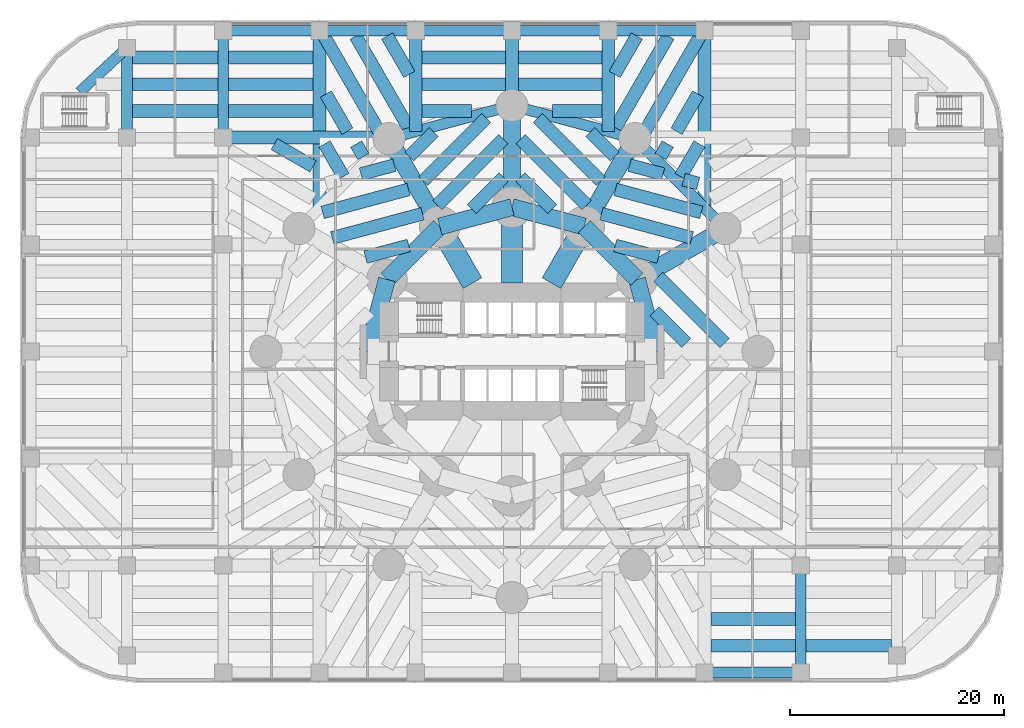
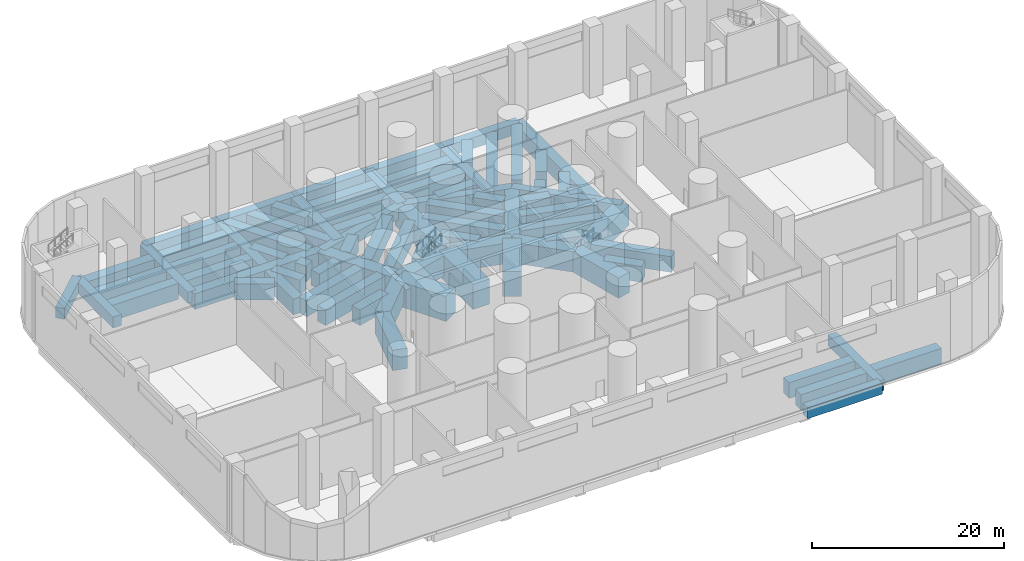
# One storey, part 3 of 13: 79 beams.
"""IFC4 building model written with IfcOpenShell, lengths in metres."""

from ifc_helpers import new_model, si_unit, direction, frame, origin, origin_2d, place, context, subcontext, project, spatial, rectangle, extrude, material, material_profile, profile_set, type_object, element, save


model = new_model("IFC4")

# Units and contexts
model_context = context("Model", 3, precision=1e-05, world=origin(), true_north=direction((0.0, 1.0)))
body_context = subcontext(model_context, "Body", "Model", "MODEL_VIEW")
ifc_project = project(units=[si_unit("LENGTHUNIT", "METRE"), si_unit("AREAUNIT", "SQUARE_METRE"), si_unit("VOLUMEUNIT", "CUBIC_METRE"), si_unit("PLANEANGLEUNIT", "RADIAN"), si_unit("MASSUNIT", "GRAM", prefix="KILO")], contexts=[model_context])

# Site, building, storey
site_placement = place(None, origin())
site = spatial("IfcSite", under=ifc_project, at=site_placement, CompositionType="ELEMENT")
building_placement = place(site_placement, origin())
building = spatial("IfcBuilding", under=site, at=building_placement, Name="Qaws Media Tower", CompositionType="ELEMENT")
storey_placement = place(building_placement, frame((0.0, 0.0, 6.0)))
storey = spatial("IfcBuildingStorey", under=building, at=storey_placement, Name="L01", CompositionType="ELEMENT", Elevation=6.0)

# Beams
ifc_material_1 = material(Name="Concrete C60/75", Category="concrete")
ifc_material_profile_1 = material_profile(ifc_material_1, rectangle(XDim=2.0, YDim=3.199951171875, at=origin_2d()), Name="RC 2000x3200")
ifc_profile_set_1 = profile_set([ifc_material_profile_1], Name="Concrete C60/75")
beam_type_1 = type_object("IfcBeamType", Name="Podium core beam RC 2000x3200", PredefinedType="BEAM", material=ifc_profile_set_1)
beam_1_placement = place(storey_placement, frame((63.695068359375, 56.39990234375, -1.89990234375), z_axis=(0.49998532359, 0.866033877048, 0.0), x_axis=(-0.866033877048, 0.49998532359, 0.0)))
element("IfcBeam", 1, at=beam_1_placement, inside=storey, type_object=beam_type_1, Name="PB14 beam CORE-I03", PredefinedType="BEAM", context=body_context, shape_type="SweptSolid", body=[
    extrude(rectangle(XDim=2.0, YDim=3.199951171875, at=origin_2d()), origin(), (0.0, 0.0, 1.0), 6.110107421875),
])
beam_2_placement = place(storey_placement, frame((60.0, 56.39990234375, -1.89990234375), z_axis=(0.0, 1.0, 0.0), x_axis=(-1.0, 0.0, 0.0)))
element("IfcBeam", 2, at=beam_2_placement, inside=storey, type_object=beam_type_1, Name="PB14 beam CORE-I04", PredefinedType="BEAM", context=body_context, shape_type="SweptSolid", body=[
    extrude(rectangle(XDim=2.0, YDim=3.199951171875, at=origin_2d()), origin(), (0.0, 0.0, 1.0), 7.10009765625),
])
beam_3_placement = place(storey_placement, frame((56.304931640625, 56.39990234375, -1.89990234375), z_axis=(-0.49998532359, 0.866033877048, 0.0), x_axis=(-0.866033877048, -0.49998532359, 0.0)))
element("IfcBeam", 3, at=beam_3_placement, inside=storey, type_object=beam_type_1, Name="PB14 beam CORE-I05", PredefinedType="BEAM", context=body_context, shape_type="SweptSolid", body=[
    extrude(rectangle(XDim=2.0, YDim=3.199951171875, at=origin_2d()), origin(), (0.0, 0.0, 1.0), 6.110107421875),
])
ifc_material_2 = material(Name="Concrete C60/75", Category="concrete")
ifc_material_profile_2 = material_profile(ifc_material_2, rectangle(XDim=1.0, YDim=1.39990234375, at=origin_2d()), Name="RC 1000x1400")
ifc_profile_set_2 = profile_set([ifc_material_profile_2], Name="Concrete C60/75")
beam_type_2 = type_object("IfcBeamType", Name="Podium edge beam RC 1000x1400", PredefinedType="BEAM", material=ifc_profile_set_2)
for number, where, z_axis, x_axis, name in (
    (4, (79.918701171875, 61.5, -1.0), (-0.707106781187, 0.707106781187, 0.0), (-0.707106781187, -0.707106781187, 0.0), "PB3 beam M02-M03"),
    (5, (71.5, 69.918701171875, -1.0), (-0.965928280645, 0.258809885148, 0.0), (-0.258809885148, -0.965928280645, 0.0), "PB3 beam M03-M04"),
    (6, (60.0, 73.0, -1.0), (-0.965928280645, -0.258809885148, 0.0), (0.258809885148, -0.965928280645, 0.0), "PB3 beam M04-M05"),
):
    element("IfcBeam", number, at=place(storey_placement, frame(where, z_axis=z_axis, x_axis=x_axis)), inside=storey, type_object=beam_type_2, Name=name, PredefinedType="BEAM", context=body_context, shape_type="SweptSolid", body=[
        extrude(rectangle(XDim=1.0, YDim=1.39990234375, at=origin_2d()), origin(), (0.0, 0.0, 1.0), 11.90576171875),
    ])
ifc_material_3 = material(Name="Concrete C60/75", Category="concrete")
ifc_material_profile_3 = material_profile(ifc_material_3, rectangle(XDim=1.0, YDim=1.39990234375, at=origin_2d()), Name="RC 1000x1400")
ifc_profile_set_3 = profile_set([ifc_material_profile_3], Name="Concrete C60/75")
beam_type_3 = type_object("IfcBeamType", Name="Podium girder RC 1000x1400", PredefinedType="BEAM", material=ifc_profile_set_3)
for number, where, z_axis, x_axis, name in (
    (7, (78.0, 20.0, -1.0), (1.0, 0.0, 0.0), (0.0, 1.0, 0.0), "PB5 beam 8-9/A"),
    (8, (33.0, 80.0, -1.0), (1.0, 0.0, 0.0), (0.0, 1.0, 0.0), "PB5 beam 3-4/G"),
    (9, (42.0, 80.0, -1.0), (1.0, 0.0, 0.0), (0.0, 1.0, 0.0), "PB5 beam 4-5/G"),
    (10, (51.0, 80.0, -1.0), (1.0, 0.0, 0.0), (0.0, 1.0, 0.0), "PB5 beam 5-6/G"),
    (11, (60.0, 80.0, -1.0), (1.0, 0.0, 0.0), (0.0, 1.0, 0.0), "PB5 beam 6-7/G"),
    (12, (69.0, 80.0, -1.0), (1.0, 0.0, 0.0), (0.0, 1.0, 0.0), "PB5 beam 7-8/G"),
):
    element("IfcBeam", number, at=place(storey_placement, frame(where, z_axis=z_axis, x_axis=x_axis)), inside=storey, type_object=beam_type_3, Name=name, PredefinedType="BEAM", context=body_context, shape_type="SweptSolid", body=[
        extrude(rectangle(XDim=1.0, YDim=1.39990234375, at=origin_2d()), origin(), (0.0, 0.0, 1.0), 9.0),
    ])
beam_4_placement = place(storey_placement, frame((24.0, 70.0, -1.0), z_axis=(0.0, 1.0, 0.0), x_axis=(-1.0, 0.0, 0.0)))
element("IfcBeam", 13, at=beam_4_placement, inside=storey, type_object=beam_type_3, Name="PB5 beam 2/F-G", PredefinedType="BEAM", context=body_context, shape_type="SweptSolid", body=[
    extrude(rectangle(XDim=1.0, YDim=1.39990234375, at=origin_2d()), origin(), (0.0, 0.0, 1.0), 8.39990234375),
])
for number, where, z_axis, x_axis, name in (
    (14, (33.0, 70.0, -1.0), (0.0, 1.0, 0.0), (-1.0, 0.0, 0.0), "PB5 beam 3/F-G"),
    (15, (87.0, 20.0, -1.0), (0.0, 1.0, 0.0), (-1.0, 0.0, 0.0), "PB5 beam 9/A-B"),
):
    element("IfcBeam", number, at=place(storey_placement, frame(where, z_axis=z_axis, x_axis=x_axis)), inside=storey, type_object=beam_type_3, Name=name, PredefinedType="BEAM", context=body_context, shape_type="SweptSolid", body=[
        extrude(rectangle(XDim=1.0, YDim=1.39990234375, at=origin_2d()), origin(), (0.0, 0.0, 1.0), 10.0),
    ])
beam_5_placement = place(storey_placement, frame((19.5732421875, 74.268310546875, -1.0), z_axis=(0.731059290527, 0.682313940745, 0.0), x_axis=(-0.682313940745, 0.731059290527, 0.0)))
element("IfcBeam", 16, at=beam_5_placement, inside=storey, type_object=beam_type_3, Name="PB5 beam S3-2/G", PredefinedType="BEAM", context=body_context, shape_type="SweptSolid", body=[
    extrude(rectangle(XDim=1.0, YDim=1.39990234375, at=origin_2d()), origin(), (0.0, 0.0, 1.0), 6.05517578125),
])
ifc_material_4 = material(Name="Concrete C60/75", Category="concrete")
ifc_material_profile_4 = material_profile(ifc_material_4, rectangle(XDim=1.199951171875, YDim=2.0, at=origin_2d()), Name="RC 1200x2000")
ifc_profile_set_4 = profile_set([ifc_material_profile_4], Name="Concrete C60/75")
beam_type_4 = type_object("IfcBeamType", Name="Podium long trimmer beam RC 1200x2000", PredefinedType="BEAM", material=ifc_profile_set_4)
beam_6_placement = place(storey_placement, frame((33.0, 70.0, -1.300048828125), z_axis=(1.0, 0.0, 0.0), x_axis=(0.0, 1.0, 0.0)))
element("IfcBeam", 17, at=beam_6_placement, inside=storey, type_object=beam_type_4, Name="PB11 beam 3/F to the tower ring", PredefinedType="BEAM", context=body_context, shape_type="SweptSolid", body=[
    extrude(rectangle(XDim=1.199951171875, YDim=2.0, at=origin_2d()), origin(), (0.0, 0.0, 1.0), 15.803955078125),
])
for number, where, z_axis, x_axis, name in (
    (18, (42.0, 80.0, -1.300048828125), (0.0, -1.0, 0.0), (1.0, 0.0, 0.0), "PB11 beam 4/G to the tower ring"),
    (19, (78.0, 80.0, -1.300048828125), (0.0, -1.0, 0.0), (1.0, 0.0, 0.0), "PB11 beam 8/G to the tower ring"),
):
    element("IfcBeam", number, at=place(storey_placement, frame(where, z_axis=z_axis, x_axis=x_axis)), inside=storey, type_object=beam_type_4, Name=name, PredefinedType="BEAM", context=body_context, shape_type="SweptSolid", body=[
        extrude(rectangle(XDim=1.199951171875, YDim=2.0, at=origin_2d()), origin(), (0.0, 0.0, 1.0), 16.581298828125),
    ])
ifc_material_5 = material(Name="Concrete C60/75", Category="concrete")
ifc_material_profile_5 = material_profile(ifc_material_5, rectangle(XDim=1.199951171875, YDim=2.0, at=origin_2d()), Name="RC 1200x2000")
ifc_profile_set_5 = profile_set([ifc_material_profile_5], Name="Concrete C60/75")
beam_type_5 = type_object("IfcBeamType", Name="Podium secondary beam RC 1200x2000", PredefinedType="BEAM", material=ifc_profile_set_5)
for number, where, z_axis, x_axis, name in (
    (20, (24.5, 72.5, -1.300048828125), (1.0, 0.0, 0.0), (0.0, 1.0, 0.0), "PB7 beam bay 2F line 1"),
    (21, (24.5, 75.0, -1.300048828125), (1.0, 0.0, 0.0), (0.0, 1.0, 0.0), "PB7 beam bay 2F line 2"),
    (22, (24.5, 77.5, -1.300048828125), (1.0, 0.0, 0.0), (0.0, 1.0, 0.0), "PB7 beam bay 2F line 3"),
):
    element("IfcBeam", number, at=place(storey_placement, frame(where, z_axis=z_axis, x_axis=x_axis)), inside=storey, type_object=beam_type_5, Name=name, PredefinedType="BEAM", context=body_context, shape_type="SweptSolid", body=[
        extrude(rectangle(XDim=1.199951171875, YDim=2.0, at=origin_2d()), origin(), (0.0, 0.0, 1.0), 8.0),
    ])
beam_7_placement = place(storey_placement, frame((41.39990234375, 67.30712890625, -1.300048828125), z_axis=(-0.866023369196, 0.500003523994, 0.0), x_axis=(-0.500003523994, -0.866023369196, 0.0)))
element("IfcBeam", 23, at=beam_7_placement, inside=storey, type_object=beam_type_5, Name="PB7 beam bay 3E line 1", PredefinedType="BEAM", context=body_context, shape_type="SweptSolid", body=[
    extrude(rectangle(XDim=1.199951171875, YDim=2.0, at=origin_2d()), origin(), (0.0, 0.0, 1.0), 4.185546875),
])
for number, where, z_axis, x_axis, name in (
    (24, (33.5, 72.5, -1.300048828125), (1.0, 0.0, 0.0), (0.0, 1.0, 0.0), "PB7 beam bay 3F line 1"),
    (25, (33.5, 75.0, -1.300048828125), (1.0, 0.0, 0.0), (0.0, 1.0, 0.0), "PB7 beam bay 3F line 2"),
    (26, (33.5, 77.5, -1.300048828125), (1.0, 0.0, 0.0), (0.0, 1.0, 0.0), "PB7 beam bay 3F line 3"),
):
    element("IfcBeam", number, at=place(storey_placement, frame(where, z_axis=z_axis, x_axis=x_axis)), inside=storey, type_object=beam_type_5, Name=name, PredefinedType="BEAM", context=body_context, shape_type="SweptSolid", body=[
        extrude(rectangle(XDim=1.199951171875, YDim=2.0, at=origin_2d()), origin(), (0.0, 0.0, 1.0), 7.89990234375),
    ])
beam_8_placement = place(storey_placement, frame((46.109619140625, 68.235107421875, -1.300048828125), z_axis=(-0.500062873969, 0.865989100438, 0.0), x_axis=(-0.865989100438, -0.500062873969, 0.0)))
element("IfcBeam", 27, at=beam_8_placement, inside=storey, type_object=beam_type_5, Name="PB7 beam bay 4E line 1", PredefinedType="BEAM", context=body_context, shape_type="SweptSolid", body=[
    extrude(rectangle(XDim=1.199951171875, YDim=2.0, at=origin_2d()), origin(), (0.0, 0.0, 1.0), 1.344970703125),
])
beam_9_placement = place(storey_placement, frame((44.236328125, 66.362060546875, -1.300048828125), z_axis=(-0.500001597329, 0.866024481564, 0.0), x_axis=(-0.866024481564, -0.500001597329, 0.0)))
element("IfcBeam", 28, at=beam_9_placement, inside=storey, type_object=beam_type_5, Name="PB7 beam bay 4E line 2", PredefinedType="BEAM", context=body_context, shape_type="SweptSolid", body=[
    extrude(rectangle(XDim=1.199951171875, YDim=2.0, at=origin_2d()), origin(), (0.0, 0.0, 1.0), 3.5078125),
])
beam_10_placement = place(storey_placement, frame((50.39990234375, 75.921630859375, -1.300048828125), z_axis=(-0.499990122378, 0.866031106557, 0.0), x_axis=(-0.866031106557, -0.499990122378, 0.0)))
element("IfcBeam", 29, at=beam_10_placement, inside=storey, type_object=beam_type_5, Name="PB7 beam bay 4F line 1", PredefinedType="BEAM", context=body_context, shape_type="SweptSolid", body=[
    extrude(rectangle(XDim=1.199951171875, YDim=2.0, at=origin_2d()), origin(), (0.0, 0.0, 1.0), 4.1318359375),
])
beam_11_placement = place(storey_placement, frame((50.329345703125, 70.92626953125, -1.300048828125), z_axis=(-0.499992846816, 0.866029533637, 0.0), x_axis=(-0.866029533637, -0.499992846816, 0.0)))
element("IfcBeam", 30, at=beam_11_placement, inside=storey, type_object=beam_type_5, Name="PB7 beam bay 4F line 2", PredefinedType="BEAM", context=body_context, shape_type="SweptSolid", body=[
    extrude(rectangle(XDim=1.199951171875, YDim=2.0, at=origin_2d()), origin(), (0.0, 0.0, 1.0), 9.900146484375),
])
beam_12_placement = place(storey_placement, frame((47.56298828125, 70.60009765625, -1.300048828125), z_axis=(-0.500004869266, 0.866022592494, 0.0), x_axis=(-0.866022592494, -0.500004869266, 0.0)))
element("IfcBeam", 31, at=beam_12_placement, inside=storey, type_object=beam_type_5, Name="PB7 beam bay 4F line 3", PredefinedType="BEAM", context=body_context, shape_type="SweptSolid", body=[
    extrude(rectangle(XDim=1.199951171875, YDim=2.0, at=origin_2d()), origin(), (0.0, 0.0, 1.0), 10.27685546875),
])
beam_13_placement = place(storey_placement, frame((44.6083984375, 70.60009765625, -1.300048828125), z_axis=(-0.500022371132, 0.86601248742, 0.0), x_axis=(-0.86601248742, -0.500022371132, 0.0)))
element("IfcBeam", 32, at=beam_13_placement, inside=storey, type_object=beam_type_5, Name="PB7 beam bay 4F line 4", PredefinedType="BEAM", context=body_context, shape_type="SweptSolid", body=[
    extrude(rectangle(XDim=1.199951171875, YDim=2.0, at=origin_2d()), origin(), (0.0, 0.0, 1.0), 4.016357421875),
])
beam_14_placement = place(storey_placement, frame((51.60009765625, 72.5, -1.300048828125), z_axis=(1.0, 0.0, 0.0), x_axis=(0.0, 1.0, 0.0)))
element("IfcBeam", 33, at=beam_14_placement, inside=storey, type_object=beam_type_5, Name="PB7 beam bay 5F line 1", PredefinedType="BEAM", context=body_context, shape_type="SweptSolid", body=[
    extrude(rectangle(XDim=1.199951171875, YDim=2.0, at=origin_2d()), origin(), (0.0, 0.0, 1.0), 4.60205078125),
])
for number, where, z_axis, x_axis, name in (
    (34, (51.60009765625, 75.0, -1.300048828125), (1.0, 0.0, 0.0), (0.0, 1.0, 0.0), "PB7 beam bay 5F line 2"),
    (35, (51.60009765625, 77.5, -1.300048828125), (1.0, 0.0, 0.0), (0.0, 1.0, 0.0), "PB7 beam bay 5F line 3"),
):
    element("IfcBeam", number, at=place(storey_placement, frame(where, z_axis=z_axis, x_axis=x_axis)), inside=storey, type_object=beam_type_5, Name=name, PredefinedType="BEAM", context=body_context, shape_type="SweptSolid", body=[
        extrude(rectangle(XDim=1.199951171875, YDim=2.0, at=origin_2d()), origin(), (0.0, 0.0, 1.0), 7.7998046875),
    ])
beam_15_placement = place(storey_placement, frame((63.7978515625, 72.5, -1.300048828125), z_axis=(1.0, 0.0, 0.0), x_axis=(0.0, 1.0, 0.0)))
element("IfcBeam", 36, at=beam_15_placement, inside=storey, type_object=beam_type_5, Name="PB7 beam bay 6F line 1", PredefinedType="BEAM", context=body_context, shape_type="SweptSolid", body=[
    extrude(rectangle(XDim=1.199951171875, YDim=2.0, at=origin_2d()), origin(), (0.0, 0.0, 1.0), 4.60205078125),
])
for number, where, z_axis, x_axis, name in (
    (37, (60.60009765625, 75.0, -1.300048828125), (1.0, 0.0, 0.0), (0.0, 1.0, 0.0), "PB7 beam bay 6F line 2"),
    (38, (60.60009765625, 77.5, -1.300048828125), (1.0, 0.0, 0.0), (0.0, 1.0, 0.0), "PB7 beam bay 6F line 3"),
):
    element("IfcBeam", number, at=place(storey_placement, frame(where, z_axis=z_axis, x_axis=x_axis)), inside=storey, type_object=beam_type_5, Name=name, PredefinedType="BEAM", context=body_context, shape_type="SweptSolid", body=[
        extrude(rectangle(XDim=1.199951171875, YDim=2.0, at=origin_2d()), origin(), (0.0, 0.0, 1.0), 7.7998046875),
    ])
beam_16_placement = place(storey_placement, frame((75.763671875, 66.362060546875, -1.300048828125), z_axis=(0.500001597329, 0.866024481564, 0.0), x_axis=(-0.866024481564, 0.500001597329, 0.0)))
element("IfcBeam", 39, at=beam_16_placement, inside=storey, type_object=beam_type_5, Name="PB7 beam bay 7E line 1", PredefinedType="BEAM", context=body_context, shape_type="SweptSolid", body=[
    extrude(rectangle(XDim=1.199951171875, YDim=2.0, at=origin_2d()), origin(), (0.0, 0.0, 1.0), 3.5078125),
])
beam_17_placement = place(storey_placement, frame((73.890380859375, 68.235107421875, -1.300048828125), z_axis=(0.500062873969, 0.865989100438, 0.0), x_axis=(-0.865989100438, 0.500062873969, 0.0)))
element("IfcBeam", 40, at=beam_17_placement, inside=storey, type_object=beam_type_5, Name="PB7 beam bay 7E line 2", PredefinedType="BEAM", context=body_context, shape_type="SweptSolid", body=[
    extrude(rectangle(XDim=1.199951171875, YDim=2.0, at=origin_2d()), origin(), (0.0, 0.0, 1.0), 1.344970703125),
])
beam_18_placement = place(storey_placement, frame((75.3916015625, 70.60009765625, -1.300048828125), z_axis=(0.500022371132, 0.86601248742, 0.0), x_axis=(-0.86601248742, 0.500022371132, 0.0)))
element("IfcBeam", 41, at=beam_18_placement, inside=storey, type_object=beam_type_5, Name="PB7 beam bay 7F line 1", PredefinedType="BEAM", context=body_context, shape_type="SweptSolid", body=[
    extrude(rectangle(XDim=1.199951171875, YDim=2.0, at=origin_2d()), origin(), (0.0, 0.0, 1.0), 4.016357421875),
])
beam_19_placement = place(storey_placement, frame((72.43701171875, 70.60009765625, -1.300048828125), z_axis=(0.500004869266, 0.866022592494, 0.0), x_axis=(-0.866022592494, 0.500004869266, 0.0)))
element("IfcBeam", 42, at=beam_19_placement, inside=storey, type_object=beam_type_5, Name="PB7 beam bay 7F line 2", PredefinedType="BEAM", context=body_context, shape_type="SweptSolid", body=[
    extrude(rectangle(XDim=1.199951171875, YDim=2.0, at=origin_2d()), origin(), (0.0, 0.0, 1.0), 10.27685546875),
])
beam_20_placement = place(storey_placement, frame((69.670654296875, 70.92626953125, -1.300048828125), z_axis=(0.499992846816, 0.866029533637, 0.0), x_axis=(-0.866029533637, 0.499992846816, 0.0)))
element("IfcBeam", 43, at=beam_20_placement, inside=storey, type_object=beam_type_5, Name="PB7 beam bay 7F line 3", PredefinedType="BEAM", context=body_context, shape_type="SweptSolid", body=[
    extrude(rectangle(XDim=1.199951171875, YDim=2.0, at=origin_2d()), origin(), (0.0, 0.0, 1.0), 9.900146484375),
])
beam_21_placement = place(storey_placement, frame((69.60009765625, 75.921630859375, -1.300048828125), z_axis=(0.499990122378, 0.866031106557, 0.0), x_axis=(-0.866031106557, 0.499990122378, 0.0)))
element("IfcBeam", 44, at=beam_21_placement, inside=storey, type_object=beam_type_5, Name="PB7 beam bay 7F line 4", PredefinedType="BEAM", context=body_context, shape_type="SweptSolid", body=[
    extrude(rectangle(XDim=1.199951171875, YDim=2.0, at=origin_2d()), origin(), (0.0, 0.0, 1.0), 4.1318359375),
])
for number, where, z_axis, x_axis, name in (
    (45, (78.60009765625, 22.5, -1.300048828125), (1.0, 0.0, 0.0), (0.0, 1.0, 0.0), "PB7 beam bay 8A line 1"),
    (46, (78.60009765625, 25.0, -1.300048828125), (1.0, 0.0, 0.0), (0.0, 1.0, 0.0), "PB7 beam bay 8A line 2"),
):
    element("IfcBeam", number, at=place(storey_placement, frame(where, z_axis=z_axis, x_axis=x_axis)), inside=storey, type_object=beam_type_5, Name=name, PredefinedType="BEAM", context=body_context, shape_type="SweptSolid", body=[
        extrude(rectangle(XDim=1.199951171875, YDim=2.0, at=origin_2d()), origin(), (0.0, 0.0, 1.0), 7.89990234375),
    ])
beam_22_placement = place(storey_placement, frame((87.5, 22.5, -1.300048828125), z_axis=(1.0, 0.0, 0.0), x_axis=(0.0, 1.0, 0.0)))
element("IfcBeam", 47, at=beam_22_placement, inside=storey, type_object=beam_type_5, Name="PB7 beam bay 9A line 1", PredefinedType="BEAM", context=body_context, shape_type="SweptSolid", body=[
    extrude(rectangle(XDim=1.199951171875, YDim=2.0, at=origin_2d()), origin(), (0.0, 0.0, 1.0), 8.0),
])
beam_23_placement = place(storey_placement, frame((79.867431640625, 50.800048828125, -1.300048828125), z_axis=(-0.707106781187, 0.707106781187, 0.0), x_axis=(-0.707106781187, -0.707106781187, 0.0)))
element("IfcBeam", 48, at=beam_23_placement, inside=storey, type_object=beam_type_5, Name="PB7 beam bay T01 line 3", PredefinedType="BEAM", context=body_context, shape_type="SweptSolid", body=[
    extrude(rectangle(XDim=1.199951171875, YDim=2.0, at=origin_2d()), origin(), (0.0, 0.0, 1.0), 8.73876953125),
])
beam_24_placement = place(storey_placement, frame((76.28369140625, 50.800048828125, -1.300048828125), z_axis=(-0.707106781187, 0.707106781187, 0.0), x_axis=(-0.707106781187, -0.707106781187, 0.0)))
element("IfcBeam", 49, at=beam_24_placement, inside=storey, type_object=beam_type_5, Name="PB7 beam bay T01 line 4", PredefinedType="BEAM", context=body_context, shape_type="SweptSolid", body=[
    extrude(rectangle(XDim=1.199951171875, YDim=2.0, at=origin_2d()), origin(), (0.0, 0.0, 1.0), 4.19189453125),
])
beam_25_placement = place(storey_placement, frame((77.39990234375, 65.714111328125, -1.300048828125), z_axis=(-0.965927004363, 0.25881464843, 0.0), x_axis=(-0.25881464843, -0.965927004363, 0.0)))
element("IfcBeam", 50, at=beam_25_placement, inside=storey, type_object=beam_type_5, Name="PB7 beam bay T02 line 1", PredefinedType="BEAM", context=body_context, shape_type="SweptSolid", body=[
    extrude(rectangle(XDim=1.199951171875, YDim=2.0, at=origin_2d()), origin(), (0.0, 0.0, 1.0), 1.39794921875),
])
beam_26_placement = place(storey_placement, frame((74.11767578125, 66.59375, -1.300048828125), z_axis=(-0.965936615722, 0.258778775034, 0.0), x_axis=(-0.258778775034, -0.965936615722, 0.0)))
element("IfcBeam", 51, at=beam_26_placement, inside=storey, type_object=beam_type_5, Name="PB7 beam bay T02 line 2", PredefinedType="BEAM", context=body_context, shape_type="SweptSolid", body=[
    extrude(rectangle(XDim=1.199951171875, YDim=2.0, at=origin_2d()), origin(), (0.0, 0.0, 1.0), 3.23974609375),
])
beam_27_placement = place(storey_placement, frame((77.701416015625, 63.010009765625, -1.300048828125), z_axis=(-0.965929425695, 0.258805611564, 0.0), x_axis=(-0.258805611564, -0.965929425695, 0.0)))
element("IfcBeam", 52, at=beam_27_placement, inside=storey, type_object=beam_type_5, Name="PB7 beam bay T02 line 3", PredefinedType="BEAM", context=body_context, shape_type="SweptSolid", body=[
    extrude(rectangle(XDim=1.199951171875, YDim=2.0, at=origin_2d()), origin(), (0.0, 0.0, 1.0), 8.307861328125),
])
beam_28_placement = place(storey_placement, frame((76.8056640625, 60.62646484375, -1.300048828125), z_axis=(-0.965926352771, 0.258817080236, 0.0), x_axis=(-0.258817080236, -0.965926352771, 0.0)))
element("IfcBeam", 53, at=beam_28_placement, inside=storey, type_object=beam_type_5, Name="PB7 beam bay T02 line 4", PredefinedType="BEAM", context=body_context, shape_type="SweptSolid", body=[
    extrude(rectangle(XDim=1.199951171875, YDim=2.0, at=origin_2d()), origin(), (0.0, 0.0, 1.0), 8.73876953125),
])
beam_29_placement = place(storey_placement, frame((73.7021484375, 58.834716796875, -1.300048828125), z_axis=(-0.96592491418, 0.258822449118, 0.0), x_axis=(-0.258822449118, -0.96592491418, 0.0)))
element("IfcBeam", 54, at=beam_29_placement, inside=storey, type_object=beam_type_5, Name="PB7 beam bay T02 line 5", PredefinedType="BEAM", context=body_context, shape_type="SweptSolid", body=[
    extrude(rectangle(XDim=1.199951171875, YDim=2.0, at=origin_2d()), origin(), (0.0, 0.0, 1.0), 4.19189453125),
])
beam_30_placement = place(storey_placement, frame((69.6025390625, 68.232177734375, -1.300048828125), z_axis=(-0.707069101983, 0.707144458383, 0.0), x_axis=(-0.707144458383, -0.707069101983, 0.0)))
element("IfcBeam", 55, at=beam_30_placement, inside=storey, type_object=beam_type_5, Name="PB7 beam bay T03 line 1", PredefinedType="BEAM", context=body_context, shape_type="SweptSolid", body=[
    extrude(rectangle(XDim=1.199951171875, YDim=2.0, at=origin_2d()), origin(), (0.0, 0.0, 1.0), 3.23974609375),
])
beam_31_placement = place(storey_placement, frame((68.291015625, 65.960205078125, -1.300048828125), z_axis=(-0.707106781187, 0.707106781187, 0.0), x_axis=(-0.707106781187, -0.707106781187, 0.0)))
element("IfcBeam", 56, at=beam_31_placement, inside=storey, type_object=beam_type_5, Name="PB7 beam bay T03 line 2", PredefinedType="BEAM", context=body_context, shape_type="SweptSolid", body=[
    extrude(rectangle(XDim=1.199951171875, YDim=2.0, at=origin_2d()), origin(), (0.0, 0.0, 1.0), 8.30810546875),
])
beam_32_placement = place(storey_placement, frame((66.979248046875, 63.688232421875, -1.300048828125), z_axis=(-0.707106781187, 0.707106781187, 0.0), x_axis=(-0.707106781187, -0.707106781187, 0.0)))
element("IfcBeam", 57, at=beam_32_placement, inside=storey, type_object=beam_type_5, Name="PB7 beam bay T03 line 3", PredefinedType="BEAM", context=body_context, shape_type="SweptSolid", body=[
    extrude(rectangle(XDim=1.199951171875, YDim=2.0, at=origin_2d()), origin(), (0.0, 0.0, 1.0), 8.73876953125),
])
for number, where, z_axis, x_axis, name in (
    (58, (63.76416015625, 63.319580078125, -1.300048828125), (-0.707106781187, 0.707106781187, 0.0), (-0.707106781187, -0.707106781187, 0.0), "PB7 beam bay T03 line 4"),
    (59, (56.23583984375, 63.319580078125, -1.300048828125), (0.707106781187, 0.707106781187, 0.0), (-0.707106781187, 0.707106781187, 0.0), "PB7 beam bay T04 line 1"),
):
    element("IfcBeam", number, at=place(storey_placement, frame(where, z_axis=z_axis, x_axis=x_axis)), inside=storey, type_object=beam_type_5, Name=name, PredefinedType="BEAM", context=body_context, shape_type="SweptSolid", body=[
        extrude(rectangle(XDim=1.199951171875, YDim=2.0, at=origin_2d()), origin(), (0.0, 0.0, 1.0), 4.19189453125),
    ])
beam_33_placement = place(storey_placement, frame((53.020751953125, 63.688232421875, -1.300048828125), z_axis=(0.707106781187, 0.707106781187, 0.0), x_axis=(-0.707106781187, 0.707106781187, 0.0)))
element("IfcBeam", 60, at=beam_33_placement, inside=storey, type_object=beam_type_5, Name="PB7 beam bay T04 line 2", PredefinedType="BEAM", context=body_context, shape_type="SweptSolid", body=[
    extrude(rectangle(XDim=1.199951171875, YDim=2.0, at=origin_2d()), origin(), (0.0, 0.0, 1.0), 8.73876953125),
])
beam_34_placement = place(storey_placement, frame((51.708984375, 65.960205078125, -1.300048828125), z_axis=(0.707106781187, 0.707106781187, 0.0), x_axis=(-0.707106781187, 0.707106781187, 0.0)))
element("IfcBeam", 61, at=beam_34_placement, inside=storey, type_object=beam_type_5, Name="PB7 beam bay T04 line 3", PredefinedType="BEAM", context=body_context, shape_type="SweptSolid", body=[
    extrude(rectangle(XDim=1.199951171875, YDim=2.0, at=origin_2d()), origin(), (0.0, 0.0, 1.0), 8.30810546875),
])
beam_35_placement = place(storey_placement, frame((50.3974609375, 68.232177734375, -1.300048828125), z_axis=(0.707069101983, 0.707144458383, 0.0), x_axis=(-0.707144458383, 0.707069101983, 0.0)))
element("IfcBeam", 62, at=beam_35_placement, inside=storey, type_object=beam_type_5, Name="PB7 beam bay T04 line 4", PredefinedType="BEAM", context=body_context, shape_type="SweptSolid", body=[
    extrude(rectangle(XDim=1.199951171875, YDim=2.0, at=origin_2d()), origin(), (0.0, 0.0, 1.0), 3.23974609375),
])
beam_36_placement = place(storey_placement, frame((46.2978515625, 58.834716796875, -1.300048828125), z_axis=(0.96592491418, 0.258822449118, 0.0), x_axis=(-0.258822449118, 0.96592491418, 0.0)))
element("IfcBeam", 63, at=beam_36_placement, inside=storey, type_object=beam_type_5, Name="PB7 beam bay T05 line 1", PredefinedType="BEAM", context=body_context, shape_type="SweptSolid", body=[
    extrude(rectangle(XDim=1.199951171875, YDim=2.0, at=origin_2d()), origin(), (0.0, 0.0, 1.0), 4.19189453125),
])
beam_37_placement = place(storey_placement, frame((43.1943359375, 60.62646484375, -1.300048828125), z_axis=(0.965926352771, 0.258817080236, 0.0), x_axis=(-0.258817080236, 0.965926352771, 0.0)))
element("IfcBeam", 64, at=beam_37_placement, inside=storey, type_object=beam_type_5, Name="PB7 beam bay T05 line 2", PredefinedType="BEAM", context=body_context, shape_type="SweptSolid", body=[
    extrude(rectangle(XDim=1.199951171875, YDim=2.0, at=origin_2d()), origin(), (0.0, 0.0, 1.0), 8.73876953125),
])
beam_38_placement = place(storey_placement, frame((42.298583984375, 63.010009765625, -1.300048828125), z_axis=(0.965929425695, 0.258805611564, 0.0), x_axis=(-0.258805611564, 0.965929425695, 0.0)))
element("IfcBeam", 65, at=beam_38_placement, inside=storey, type_object=beam_type_5, Name="PB7 beam bay T05 line 3", PredefinedType="BEAM", context=body_context, shape_type="SweptSolid", body=[
    extrude(rectangle(XDim=1.199951171875, YDim=2.0, at=origin_2d()), origin(), (0.0, 0.0, 1.0), 8.307861328125),
])
beam_39_placement = place(storey_placement, frame((45.88232421875, 66.59375, -1.300048828125), z_axis=(0.965936615722, 0.258778775034, 0.0), x_axis=(-0.258778775034, 0.965936615722, 0.0)))
element("IfcBeam", 66, at=beam_39_placement, inside=storey, type_object=beam_type_5, Name="PB7 beam bay T05 line 5", PredefinedType="BEAM", context=body_context, shape_type="SweptSolid", body=[
    extrude(rectangle(XDim=1.199951171875, YDim=2.0, at=origin_2d()), origin(), (0.0, 0.0, 1.0), 3.23974609375),
])
ifc_material_6 = material(Name="Concrete C60/75", Category="concrete")
ifc_material_profile_6 = material_profile(ifc_material_6, rectangle(XDim=1.60009765625, YDim=2.60009765625, at=origin_2d()), Name="RC 1600x2600")
ifc_profile_set_6 = profile_set([ifc_material_profile_6], Name="Concrete C60/75")
beam_type_6 = type_object("IfcBeamType", Name="Podium tower beam RC 1600x2600", PredefinedType="BEAM", material=ifc_profile_set_6)
beam_40_placement = place(storey_placement, frame((73.5, 50.0, -1.60009765625), z_axis=(-0.258810593767, 0.965928090778, 0.0), x_axis=(-0.965928090778, -0.258810593767, 0.0)))
element("IfcBeam", 67, at=beam_40_placement, inside=storey, type_object=beam_type_6, Name="PB9 beam I01-I02", PredefinedType="BEAM", context=body_context, shape_type="SweptSolid", body=[
    extrude(rectangle(XDim=1.60009765625, YDim=2.60009765625, at=origin_2d()), origin(), (0.0, 0.0, 1.0), 6.988037109375),
])
beam_41_placement = place(storey_placement, frame((71.69140625, 56.75, -1.60009765625), z_axis=(0.86602681393, 0.499997557548, 0.0), x_axis=(-0.499997557548, 0.86602681393, 0.0)))
element("IfcBeam", 68, at=beam_41_placement, inside=storey, type_object=beam_type_6, Name="PB9 beam I02-M02", PredefinedType="BEAM", context=body_context, shape_type="SweptSolid", body=[
    extrude(rectangle(XDim=1.60009765625, YDim=2.60009765625, at=origin_2d()), origin(), (0.0, 0.0, 1.0), 9.5),
])
beam_42_placement = place(storey_placement, frame((71.69140625, 56.75, -1.60009765625), z_axis=(-0.707106781187, 0.707106781187, 0.0), x_axis=(-0.707106781187, -0.707106781187, 0.0)))
element("IfcBeam", 69, at=beam_42_placement, inside=storey, type_object=beam_type_6, Name="PB9 beam I02-I03", PredefinedType="BEAM", context=body_context, shape_type="SweptSolid", body=[
    extrude(rectangle(XDim=1.60009765625, YDim=2.60009765625, at=origin_2d()), origin(), (0.0, 0.0, 1.0), 6.98828125),
])
beam_43_placement = place(storey_placement, frame((66.75, 61.69140625, -1.60009765625), z_axis=(0.499997557548, 0.86602681393, 0.0), x_axis=(-0.86602681393, 0.499997557548, 0.0)))
element("IfcBeam", 70, at=beam_43_placement, inside=storey, type_object=beam_type_6, Name="PB9 beam I03-M03", PredefinedType="BEAM", context=body_context, shape_type="SweptSolid", body=[
    extrude(rectangle(XDim=1.60009765625, YDim=2.60009765625, at=origin_2d()), origin(), (0.0, 0.0, 1.0), 9.5),
])
beam_44_placement = place(storey_placement, frame((66.75, 61.69140625, -1.60009765625), z_axis=(-0.965928090778, 0.258810593767, 0.0), x_axis=(-0.258810593767, -0.965928090778, 0.0)))
element("IfcBeam", 71, at=beam_44_placement, inside=storey, type_object=beam_type_6, Name="PB9 beam I03-I04", PredefinedType="BEAM", context=body_context, shape_type="SweptSolid", body=[
    extrude(rectangle(XDim=1.60009765625, YDim=2.60009765625, at=origin_2d()), origin(), (0.0, 0.0, 1.0), 6.988037109375),
])
beam_45_placement = place(storey_placement, frame((60.0, 63.5, -1.60009765625), z_axis=(0.0, 1.0, 0.0), x_axis=(-1.0, 0.0, 0.0)))
element("IfcBeam", 72, at=beam_45_placement, inside=storey, type_object=beam_type_6, Name="PB9 beam I04-M04", PredefinedType="BEAM", context=body_context, shape_type="SweptSolid", body=[
    extrude(rectangle(XDim=1.60009765625, YDim=2.60009765625, at=origin_2d()), origin(), (0.0, 0.0, 1.0), 9.5),
])
beam_46_placement = place(storey_placement, frame((60.0, 63.5, -1.60009765625), z_axis=(-0.965928090778, -0.258810593767, 0.0), x_axis=(0.258810593767, -0.965928090778, 0.0)))
element("IfcBeam", 73, at=beam_46_placement, inside=storey, type_object=beam_type_6, Name="PB9 beam I04-I05", PredefinedType="BEAM", context=body_context, shape_type="SweptSolid", body=[
    extrude(rectangle(XDim=1.60009765625, YDim=2.60009765625, at=origin_2d()), origin(), (0.0, 0.0, 1.0), 6.988037109375),
])
beam_47_placement = place(storey_placement, frame((53.25, 61.69140625, -1.60009765625), z_axis=(-0.499997557548, 0.86602681393, 0.0), x_axis=(-0.86602681393, -0.499997557548, 0.0)))
element("IfcBeam", 74, at=beam_47_placement, inside=storey, type_object=beam_type_6, Name="PB9 beam I05-M05", PredefinedType="BEAM", context=body_context, shape_type="SweptSolid", body=[
    extrude(rectangle(XDim=1.60009765625, YDim=2.60009765625, at=origin_2d()), origin(), (0.0, 0.0, 1.0), 9.5),
])
beam_48_placement = place(storey_placement, frame((53.25, 61.69140625, -1.60009765625), z_axis=(-0.707106781187, -0.707106781187, 0.0), x_axis=(0.707106781187, -0.707106781187, 0.0)))
element("IfcBeam", 75, at=beam_48_placement, inside=storey, type_object=beam_type_6, Name="PB9 beam I05-I06", PredefinedType="BEAM", context=body_context, shape_type="SweptSolid", body=[
    extrude(rectangle(XDim=1.60009765625, YDim=2.60009765625, at=origin_2d()), origin(), (0.0, 0.0, 1.0), 6.98828125),
])
beam_49_placement = place(storey_placement, frame((48.30859375, 56.75, -1.60009765625), z_axis=(-0.258810593767, -0.965928090778, 0.0), x_axis=(0.965928090778, -0.258810593767, 0.0)))
element("IfcBeam", 76, at=beam_49_placement, inside=storey, type_object=beam_type_6, Name="PB9 beam I06-I07", PredefinedType="BEAM", context=body_context, shape_type="SweptSolid", body=[
    extrude(rectangle(XDim=1.60009765625, YDim=2.60009765625, at=origin_2d()), origin(), (0.0, 0.0, 1.0), 6.988037109375),
])
ifc_material_7 = material(Name="Concrete C60/75", Category="concrete")
ifc_material_profile_7 = material_profile(ifc_material_7, rectangle(XDim=1.199951171875, YDim=2.0, at=origin_2d()), Name="RC 1200x2000")
ifc_profile_set_7 = profile_set([ifc_material_profile_7], Name="Concrete C60/75")
beam_type_7 = type_object("IfcBeamType", Name="Podium trimmer beam RC 1200x2000", PredefinedType="BEAM", material=ifc_profile_set_7)
beam_50_placement = place(storey_placement, frame((51.0, 80.0, -1.300048828125), z_axis=(0.0, -1.0, 0.0), x_axis=(1.0, 0.0, 0.0)))
element("IfcBeam", 77, at=beam_50_placement, inside=storey, type_object=beam_type_7, Name="PB4 beam 5/G to the tower ring", PredefinedType="BEAM", context=body_context, shape_type="SweptSolid", body=[
    extrude(rectangle(XDim=1.199951171875, YDim=2.0, at=origin_2d()), origin(), (0.0, 0.0, 1.0), 9.41162109375),
])
beam_51_placement = place(storey_placement, frame((60.0, 80.0, -1.300048828125), z_axis=(0.0, -1.0, 0.0), x_axis=(1.0, 0.0, 0.0)))
element("IfcBeam", 78, at=beam_51_placement, inside=storey, type_object=beam_type_7, Name="PB4 beam 6/G to the tower ring", PredefinedType="BEAM", context=body_context, shape_type="SweptSolid", body=[
    extrude(rectangle(XDim=1.199951171875, YDim=2.0, at=origin_2d()), origin(), (0.0, 0.0, 1.0), 7.0),
])
beam_52_placement = place(storey_placement, frame((69.0, 80.0, -1.300048828125), z_axis=(0.0, -1.0, 0.0), x_axis=(1.0, 0.0, 0.0)))
element("IfcBeam", 79, at=beam_52_placement, inside=storey, type_object=beam_type_7, Name="PB4 beam 7/G to the tower ring", PredefinedType="BEAM", context=body_context, shape_type="SweptSolid", body=[
    extrude(rectangle(XDim=1.199951171875, YDim=2.0, at=origin_2d()), origin(), (0.0, 0.0, 1.0), 9.41162109375),
])

save(model, "model.ifc")
